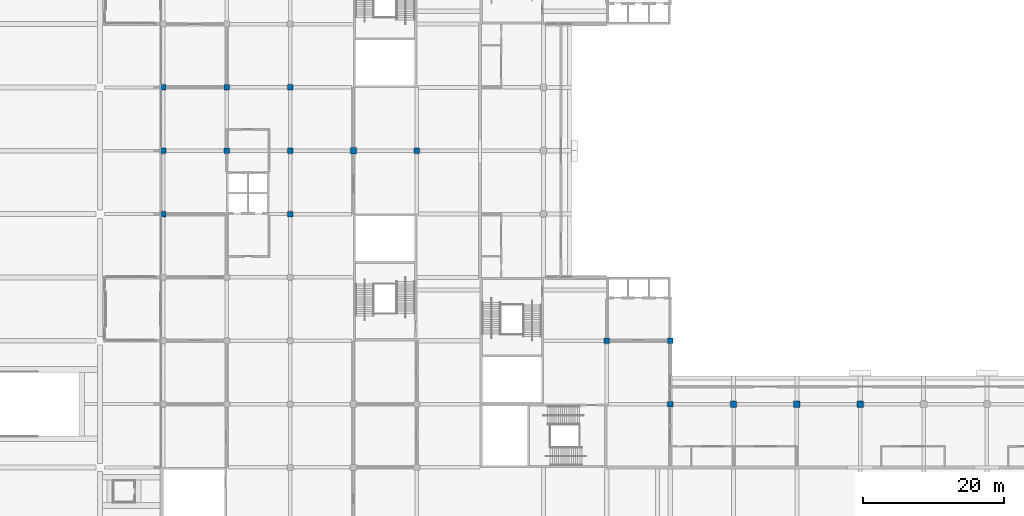
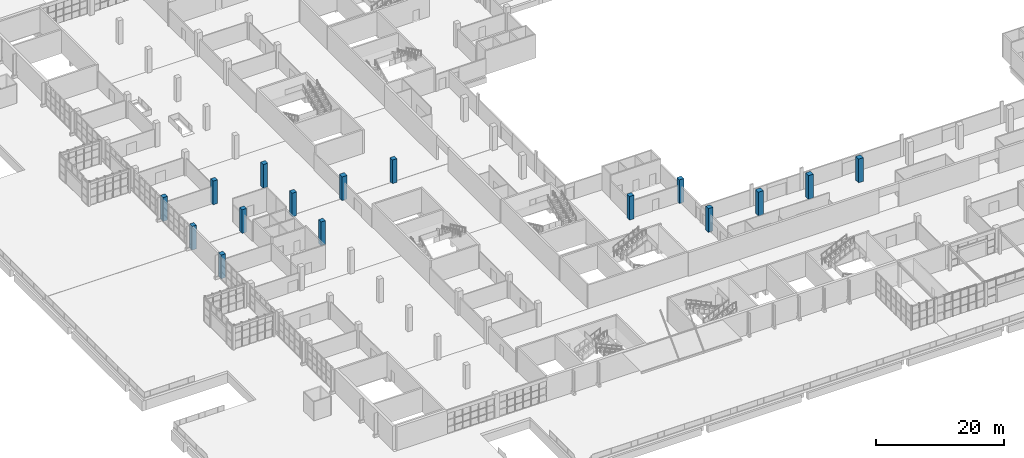
# One storey, part 6 of 168: 16 columns.
"""IFC4 building model written with IfcOpenShell, lengths in metres."""

from ifc_helpers import new_model, si_unit, direction, frame, origin, origin_2d, place, context, subcontext, project, spatial, rectangle, extrude, material, material_profile, profile_set, type_object, element, save


model = new_model("IFC4")

# Units and contexts
model_context = context("Model", 3, precision=1e-05, world=origin(), true_north=direction((0.0, 1.0)))
body_context = subcontext(model_context, "Body", "Model", "MODEL_VIEW")
ifc_project = project(units=[si_unit("LENGTHUNIT", "METRE"), si_unit("AREAUNIT", "SQUARE_METRE"), si_unit("VOLUMEUNIT", "CUBIC_METRE"), si_unit("PLANEANGLEUNIT", "RADIAN"), si_unit("MASSUNIT", "GRAM", prefix="KILO")], contexts=[model_context])

# Site, building, storey
site_placement = place(None, origin())
site = spatial("IfcSite", under=ifc_project, at=site_placement, CompositionType="ELEMENT")
building_placement = place(site_placement, origin())
building = spatial("IfcBuilding", under=site, at=building_placement, Name="Silverbay Arena", CompositionType="ELEMENT")
storey_placement = place(building_placement, frame((0.0, 0.0, 7.0)))
storey = spatial("IfcBuildingStorey", under=building, at=storey_placement, Name="L01", CompositionType="ELEMENT", Elevation=7.0)

# Columns
ifc_material_1 = material(Name="Concrete Grade C45", Category="concrete")
ifc_material_profile_1 = material_profile(ifc_material_1, rectangle(XDim=0.800048828125, YDim=0.800048828125, at=origin_2d()), Name="RC 800x800")
ifc_profile_set_1 = profile_set([ifc_material_profile_1], Name="Concrete Grade C45")
column_type_1 = type_object("IfcColumnType", Name="RC column 800x800", PredefinedType="COLUMN", material=ifc_profile_set_1)
for number, where, z_axis, x_axis, name in (
    (1, (63.0, 81.0, 0.0), (0.0, 0.0, 1.0), (1.0, 0.0, 0.0), "Column 8/K L01"),
    (2, (27.0, 72.0, 0.0), (0.0, 0.0, 1.0), (1.0, 0.0, 0.0), "Column 4/J L01"),
    (3, (27.0, 81.0, 0.0), (0.0, 0.0, 1.0), (1.0, 0.0, 0.0), "Column 4/K L01"),
    (4, (27.0, 90.0, 0.0), (0.0, 0.0, 1.0), (1.0, 0.0, 0.0), "Column 4/L L01"),
    (5, (36.0, 81.0, 0.0), (0.0, 0.0, 1.0), (1.0, 0.0, 0.0), "Column 5/K L01"),
    (6, (36.0, 90.0, 0.0), (0.0, 0.0, 1.0), (1.0, 0.0, 0.0), "Column 5/L L01"),
    (7, (45.0, 72.0, 0.0), (0.0, 0.0, 1.0), (1.0, 0.0, 0.0), "Column 6/J L01"),
    (8, (45.0, 81.0, 0.0), (0.0, 0.0, 1.0), (1.0, 0.0, 0.0), "Column 6/K L01"),
    (9, (45.0, 90.0, 0.0), (0.0, 0.0, 1.0), (1.0, 0.0, 0.0), "Column 6/L L01"),
    (10, (90.0, 54.0, 0.0), (0.0, 0.0, 1.0), (1.0, 0.0, 0.0), "Column 11/G L01"),
    (11, (99.0, 45.0, 0.0), (0.0, 0.0, 1.0), (1.0, 0.0, 0.0), "Column 12/F L01"),
    (12, (99.0, 54.0, 0.0), (0.0, 0.0, 1.0), (1.0, 0.0, 0.0), "Column 12/G L01"),
):
    element("IfcColumn", number, at=place(storey_placement, frame(where, z_axis=z_axis, x_axis=x_axis)), inside=storey, type_object=column_type_1, Name=name, PredefinedType="COLUMN", context=body_context, shape_type="SweptSolid", body=[
        extrude(rectangle(XDim=0.800048828125, YDim=0.800048828125, at=origin_2d()), origin(), (0.0, 0.0, 1.0), 4.5),
    ])
ifc_material_2 = material(Name="Concrete Grade C45", Category="concrete")
ifc_material_profile_2 = material_profile(ifc_material_2, rectangle(XDim=0.89990234375, YDim=0.89990234375, at=origin_2d()), Name="RC 900x900")
ifc_profile_set_2 = profile_set([ifc_material_profile_2], Name="Concrete Grade C45")
column_type_2 = type_object("IfcColumnType", Name="RC column 900x900", PredefinedType="COLUMN", material=ifc_profile_set_2)
for number, where, z_axis, x_axis, name in (
    (13, (54.0, 81.0, 0.0), (0.0, 0.0, 1.0), (1.0, 0.0, 0.0), "Column 7/K L01"),
    (14, (108.0, 45.0, 0.0), (0.0, 0.0, 1.0), (1.0, 0.0, 0.0), "Column 13/F L01"),
    (15, (117.0, 45.0, 0.0), (0.0, 0.0, 1.0), (1.0, 0.0, 0.0), "Column 14/F L01"),
    (16, (126.0, 45.0, 0.0), (0.0, 0.0, 1.0), (1.0, 0.0, 0.0), "Column 15/F L01"),
):
    element("IfcColumn", number, at=place(storey_placement, frame(where, z_axis=z_axis, x_axis=x_axis)), inside=storey, type_object=column_type_2, Name=name, PredefinedType="COLUMN", context=body_context, shape_type="SweptSolid", body=[
        extrude(rectangle(XDim=0.89990234375, YDim=0.89990234375, at=origin_2d()), origin(), (0.0, 0.0, 1.0), 4.5),
    ])

save(model, "model.ifc")
